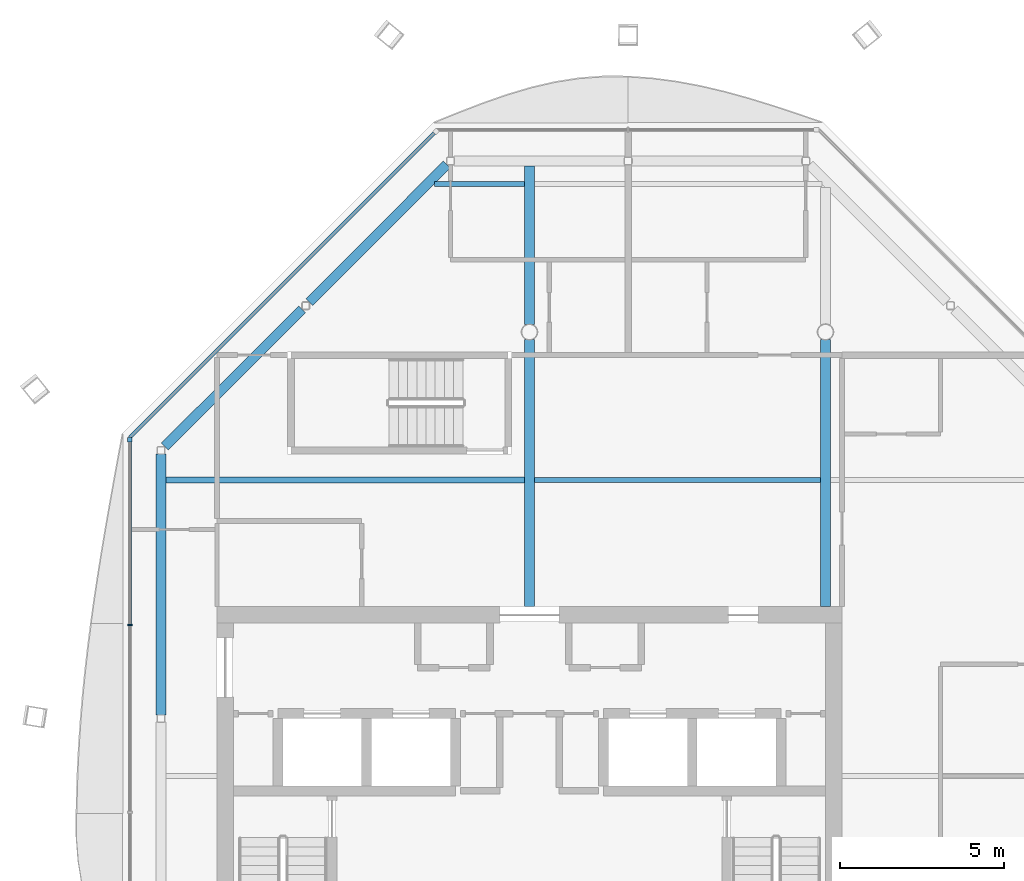
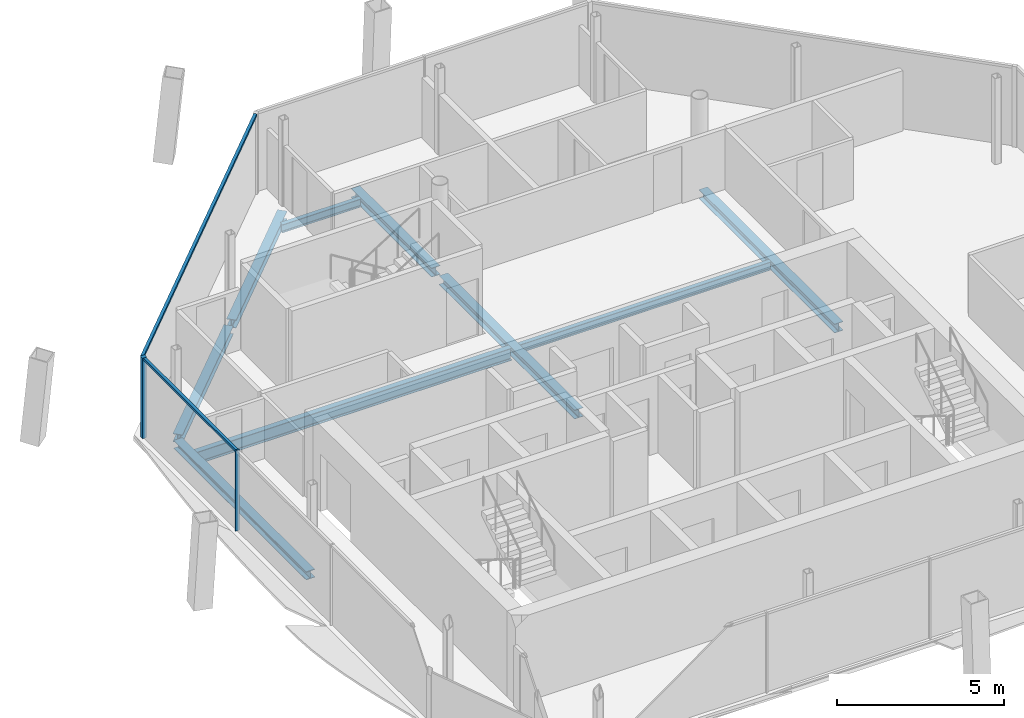
# One storey, part 5 of 13: 9 beams, 4 members, 2 elements without a shape of their own.
"""IFC4 building model written with IfcOpenShell, lengths in metres."""

import ifcopenshell
import ifcopenshell.guid

model = None  # the IFC model being written
_history = None  # IfcOwnerHistory: only IFC2X3 demands one
_inside = {}  # id of a spatial element -> (the spatial element, [elements in it])
_under = {}  # id of a project, library or spatial element -> (it, [spatial elements below it])
_declared = {}  # id of a project -> (the project, [libraries it declares])
_typed = {}  # id of a type object -> (the type object, [elements of that type])
_made_of = {}  # id of a material, layer set ... -> (it, [elements and type objects made of it])


def new_model(schema):
    """Start an empty IFC model of exactly this schema.

    Asked for "IFC4X3", IfcOpenShell would pick the latest addendum, in which some entities
    have other attributes; the version numbers below select the first issue.
    IFC2X3 requires an IfcOwnerHistory on every rooted entity: one is made here for all.
    """
    global model, _history
    if schema == "IFC4X3":
        model = ifcopenshell.file(schema_version=(4, 3, 0, 0))
    else:
        model = ifcopenshell.file(schema=schema)
    _inside.clear()
    _under.clear()
    _declared.clear()
    _typed.clear()
    _made_of.clear()
    _history = None
    if model.schema == "IFC2X3":
        org = make("IfcOrganization", Name="unknown")
        user = make(
            "IfcPersonAndOrganization",
            ThePerson=make("IfcPerson", FamilyName="unknown"),
            TheOrganization=org,
        )
        app = make(
            "IfcApplication",
            ApplicationDeveloper=org,
            Version="unknown",
            ApplicationFullName="unknown",
            ApplicationIdentifier="unknown",
        )
        _history = make(
            "IfcOwnerHistory",
            OwningUser=user,
            OwningApplication=app,
            ChangeAction="ADDED",
            CreationDate=0,
        )
    return model


def make(cls, **values):
    """One entity of the class cls with the attributes given. An attribute that is None is left unset."""
    return model.create_entity(
        cls, **{name: value for name, value in values.items() if value is not None}
    )


def rooted(cls, **values):
    """An entity with a GlobalId (a new one), such as an element, a storey or a relation."""
    return make(cls, GlobalId=ifcopenshell.guid.new(), OwnerHistory=_history, **values)


def si_unit(unit_type, name, prefix=None):
    """IfcSIUnit, for example si_unit("LENGTHUNIT", "METRE", prefix="MILLI")."""
    return make("IfcSIUnit", UnitType=unit_type, Prefix=prefix, Name=name)


def assignment(units):
    """IfcUnitAssignment: the units of a project."""
    return None if units is None else make("IfcUnitAssignment", Units=units)


def point(xyz):
    """IfcCartesianPoint."""
    return None if xyz is None else make("IfcCartesianPoint", Coordinates=xyz)


def direction(xyz):
    """IfcDirection."""
    return None if xyz is None else make("IfcDirection", DirectionRatios=xyz)


def frame(location, z_axis=None, x_axis=None):
    """IfcAxis2Placement3D, a coordinate frame: its origin and axes. An axis left out is left unset."""
    return make(
        "IfcAxis2Placement3D",
        Location=point(location),
        Axis=direction(z_axis),
        RefDirection=direction(x_axis),
    )


def frame_2d(location, x_axis=None):
    """IfcAxis2Placement2D, a coordinate frame in the plane: its origin and x axis."""
    return make(
        "IfcAxis2Placement2D", Location=point(location), RefDirection=direction(x_axis)
    )


def origin():
    """The frame at (0, 0, 0) with its axes left unset."""
    return frame((0.0, 0.0, 0.0))


def origin_2d():
    """The frame at (0, 0) in the plane with its x axis left unset."""
    return frame_2d((0.0, 0.0))


def place(relative_to, where):
    """IfcLocalPlacement: puts the frame where relative to a parent placement (None: the world)."""
    return make(
        "IfcLocalPlacement", PlacementRelTo=relative_to, RelativePlacement=where
    )


def context(
    kind, dimensions, precision=None, world=None, true_north=None, identifier=None
):
    """IfcGeometricRepresentationContext, for example the 3D "Model" context."""
    return make(
        "IfcGeometricRepresentationContext",
        ContextIdentifier=identifier,
        ContextType=kind,
        CoordinateSpaceDimension=dimensions,
        Precision=precision,
        WorldCoordinateSystem=world,
        TrueNorth=true_north,
    )


def subcontext(parent, identifier, kind, view, scale=None):
    """IfcGeometricRepresentationSubContext, for example "Body" below "Model"."""
    return make(
        "IfcGeometricRepresentationSubContext",
        ContextIdentifier=identifier,
        ContextType=kind,
        ParentContext=parent,
        TargetScale=scale,
        TargetView=view,
    )


def project(units=None, contexts=None):
    """IfcProject with its units and contexts."""
    return rooted(
        "IfcProject",
        Name="project",
        RepresentationContexts=contexts,
        UnitsInContext=assignment(units),
    )


def spatial(cls, under=None, at=None, **own):
    """A site, building, storey or space (cls), placed at a placement, below another one or the project."""
    s = rooted(cls, ObjectPlacement=at, **own)
    if under is not None:
        _under.setdefault(under.id(), (under, []))[1].append(s)
    return s


def profile(cls, at=None, kind="AREA", **sizes):
    """A parametric profile (cls). Its sizes go by their IFC names, for example OverallWidth=200.0."""
    return make(cls, ProfileType=kind, Position=at, **sizes)


def rectangle(**sizes):
    """IfcRectangleProfileDef."""
    return profile("IfcRectangleProfileDef", **sizes)


def i_section(**sizes):
    """IfcIShapeProfileDef."""
    return profile("IfcIShapeProfileDef", **sizes)


def extrude(swept, where, along, depth):
    """IfcExtrudedAreaSolid: the profile swept, set in the frame where, extruded along a direction by depth."""
    return make(
        "IfcExtrudedAreaSolid",
        SweptArea=swept,
        Position=where,
        ExtrudedDirection=direction(along),
        Depth=depth,
    )


def shape(context_of_items, identifier, shape_type, items):
    """IfcShapeRepresentation: the items that make up one representation, for example the "Body"."""
    return make(
        "IfcShapeRepresentation",
        ContextOfItems=context_of_items,
        RepresentationIdentifier=identifier,
        RepresentationType=shape_type,
        Items=items,
    )


def material(Name=None, Category=None):
    """IfcMaterial."""
    return make("IfcMaterial", Name=Name, Category=Category)


def material_profile(
    of_material, cross_section, Name=None, Category=None, Priority=None
):
    """IfcMaterialProfile: a cross section and its material."""
    return make(
        "IfcMaterialProfile",
        Name=Name,
        Material=of_material,
        Profile=cross_section,
        Priority=Priority,
        Category=Category,
    )


def profile_set(profiles, Name=None, composite=None):
    """IfcMaterialProfileSet."""
    return make(
        "IfcMaterialProfileSet",
        Name=Name,
        MaterialProfiles=profiles,
        CompositeProfile=composite,
    )


def made_of(thing, what):
    """Note that an element or type object is made of a material, layer set ...; save() writes the relation."""
    if what is not None:
        _made_of.setdefault(what.id(), (what, []))[1].append(thing)
    return thing


def type_object(cls, material=None, **own):
    """A type object (cls), such as IfcWallType, which elements share."""
    return made_of(rooted(cls, **own), material)


def element(
    cls,
    number,
    at=None,
    inside=None,
    cuts=None,
    type_object=None,
    material=None,
    context=None,
    identifier="Body",
    shape_type=None,
    held_by="IfcProductDefinitionShape",
    body=None,
    shapes=None,
    **own,
):
    """One element of the class cls, such as IfcWall. Its Tag is "e" and its number.

    at: its placement. inside: the storey or other place that contains it. cuts: it is an
    opening in that element (IfcRelVoidsElement). A single representation is given by context,
    identifier, shape_type and body (its items); several are given by shapes. held_by: the class
    of the entity that holds the representations. save() writes the other relations.
    """
    e = rooted(cls, Tag="e%d" % number, ObjectPlacement=at, **own)
    if body is not None:
        shapes = [shape(context, identifier, shape_type, body)]
    if shapes is not None:
        e.Representation = make(held_by, Representations=shapes)
    if inside is not None:
        _inside.setdefault(inside.id(), (inside, []))[1].append(e)
    if cuts is not None:
        rooted(
            "IfcRelVoidsElement", RelatingBuildingElement=cuts, RelatedOpeningElement=e
        )
    if type_object is not None:
        _typed.setdefault(type_object.id(), (type_object, []))[1].append(e)
    return made_of(e, material)


def aggregate(whole, parts):
    """IfcRelAggregates: a whole, such as a stair, and the parts it consists of."""
    return rooted("IfcRelAggregates", RelatingObject=whole, RelatedObjects=parts)


def save(model, path):
    """Write the relations noted so far, then the file.

    IfcRelAggregates (storeys below a building ...), IfcRelContainedInSpatialStructure (elements
    in a storey), IfcRelDefinesByType, IfcRelAssociatesMaterial and IfcRelDeclares: one each for
    every whole, place, type object, material and project.
    """
    for whole, parts in _under.values():
        aggregate(whole, parts)
    for where, things in _inside.values():
        rooted(
            "IfcRelContainedInSpatialStructure",
            RelatedElements=things,
            RelatingStructure=where,
        )
    for kind, things in _typed.values():
        rooted("IfcRelDefinesByType", RelatedObjects=things, RelatingType=kind)
    for what, things in _made_of.values():
        rooted("IfcRelAssociatesMaterial", RelatedObjects=things, RelatingMaterial=what)
    for by, libraries in _declared.values():
        rooted("IfcRelDeclares", RelatingContext=by, RelatedDefinitions=libraries)
    model.write(path)


model = new_model("IFC4")

# Units and contexts
model_context = context("Model", 3, precision=1e-05, world=origin(), true_north=direction((0.0, 1.0)))
body_context = subcontext(model_context, "Body", "Model", "MODEL_VIEW")
ifc_project = project(units=[si_unit("LENGTHUNIT", "METRE"), si_unit("AREAUNIT", "SQUARE_METRE"), si_unit("VOLUMEUNIT", "CUBIC_METRE"), si_unit("PLANEANGLEUNIT", "RADIAN"), si_unit("MASSUNIT", "GRAM", prefix="KILO")], contexts=[model_context])

# Site, building, storey
site_placement = place(None, origin())
site = spatial("IfcSite", under=ifc_project, at=site_placement, CompositionType="ELEMENT")
building_placement = place(site_placement, origin())
building = spatial("IfcBuilding", under=site, at=building_placement, Name="Tskaro Facet Tower", CompositionType="ELEMENT")
storey_placement = place(building_placement, frame((0.0, 0.0, 291.0)))
storey = spatial("IfcBuildingStorey", under=building, at=storey_placement, Name="L78", CompositionType="ELEMENT", Elevation=291.0)

# Curtain wall, members
ifc_material_1 = material(Name="Bronze anodised aluminium 6063-T6", Category="aluminium")
curtain_wall_type = type_object("IfcCurtainWallType", Name="Bronze residence curtain wall (FW3)", PredefinedType="NOTDEFINED", material=ifc_material_1)
curtain_wall_1_placement = place(storey_placement, origin())
curtain_wall_1 = element("IfcCurtainWall", 1, at=curtain_wall_1_placement, inside=storey, type_object=curtain_wall_type, Name="FW3 west facet L78", PredefinedType="NOTDEFINED")
ifc_material_profile_1 = material_profile(ifc_material_1, rectangle(XDim=0.139892578125, YDim=0.139892578125, at=origin_2d()), Name="Corner post 140x140")
ifc_profile_set_1 = profile_set([ifc_material_profile_1], Name="Bronze anodised aluminium 6063-T6")
member_type_1 = type_object("IfcMemberType", Name="FW3 bronze corner post 140x140", PredefinedType="MULLION", material=ifc_profile_set_1)
member_1_placement = place(storey_placement, frame((-12.14990234375, 5.72607421875, 0.0), z_axis=(0.0, 0.0, 1.0), x_axis=(0.0, -1.0, 0.0)))
member_1 = element("IfcMember", 2, at=member_1_placement, type_object=member_type_1, Name="FW3 west corner post", PredefinedType="MULLION", context=body_context, shape_type="SweptSolid", body=[
    extrude(rectangle(XDim=0.139892578125, YDim=0.139892578125, at=origin_2d()), origin(), (0.0, 0.0, 1.0), 2.949951171875),
])
ifc_material_profile_2 = material_profile(ifc_material_1, rectangle(XDim=0.050048828125, YDim=0.139892578125, at=origin_2d()), Name="Mullion 50x140")
ifc_profile_set_2 = profile_set([ifc_material_profile_2], Name="Bronze anodised aluminium 6063-T6")
member_type_2 = type_object("IfcMemberType", Name="FW3 bronze mullion 50x140", PredefinedType="MULLION", material=ifc_profile_set_2)
member_2_placement = place(storey_placement, frame((-12.14990234375, 0.0986328125, 0.0), z_axis=(0.0, 0.0, 1.0), x_axis=(0.0, -1.0, 0.0)))
member_2 = element("IfcMember", 3, at=member_2_placement, type_object=member_type_2, Name="FW3 west mullion 1", PredefinedType="MULLION", context=body_context, shape_type="SweptSolid", body=[
    extrude(rectangle(XDim=0.050048828125, YDim=0.139892578125, at=origin_2d()), origin(), (0.0, 0.0, 1.0), 2.949951171875),
])

# Curtain wall, member
curtain_wall_2_placement = place(storey_placement, origin())
curtain_wall_2 = element("IfcCurtainWall", 4, at=curtain_wall_2_placement, inside=storey, type_object=curtain_wall_type, Name="FW3 north-west facet L78", PredefinedType="NOTDEFINED")
ifc_material_profile_3 = material_profile(ifc_material_1, rectangle(XDim=0.10009765625, YDim=0.090087890625, at=origin_2d()), Name="Transom 100x90")
ifc_profile_set_3 = profile_set([ifc_material_profile_3], Name="Bronze anodised aluminium 6063-T6")
member_type_3 = type_object("IfcMemberType", Name="FW3 bronze transom 100x90", PredefinedType="USERDEFINED", material=ifc_profile_set_3)
member_3_placement = place(storey_placement, frame((-2.89501953125, 15.051025390625, 2.905029296875), z_axis=(-0.707097454631, -0.707116107619, 0.0), x_axis=(0.707116107619, -0.707097454631, 0.0)))
member_3 = element("IfcMember", 5, at=member_3_placement, type_object=member_type_3, Name="FW3 north-west transom 1.1", ObjectType="TRANSOM", PredefinedType="USERDEFINED", context=body_context, shape_type="SweptSolid", body=[
    extrude(rectangle(XDim=0.10009765625, YDim=0.090087890625, at=origin_2d()), origin(), (0.0, 0.0, 1.0), 13.088623046875),
])
aggregate(curtain_wall_2, [member_3])

# Member
member_4_placement = place(storey_placement, frame((-12.14990234375, 5.656005859375, 2.905029296875), z_axis=(0.0, -1.0, 0.0), x_axis=(1.0, 0.0, 0.0)))
member_4 = element("IfcMember", 6, at=member_4_placement, type_object=member_type_3, Name="FW3 west transom 1.1", ObjectType="TRANSOM", PredefinedType="USERDEFINED", context=body_context, shape_type="SweptSolid", body=[
    extrude(rectangle(XDim=0.10009765625, YDim=0.090087890625, at=origin_2d()), origin(), (0.0, 0.0, 1.0), 5.5322265625),
])

aggregate(curtain_wall_1, [member_1, member_2, member_4])

# Beams
ifc_material_2 = material(Name="Steel S355J2", Category="steel")
ifc_material_profile_4 = material_profile(ifc_material_2, i_section(OverallWidth=0.300048828125, OverallDepth=0.300048828125, WebThickness=0.010986328125, FlangeThickness=0.01904296875, FilletRadius=0.027099609375, at=origin_2d()), Name="HE 300 B")
ifc_profile_set_4 = profile_set([ifc_material_profile_4], Name="Steel S355J2")
beam_type_1 = type_object("IfcBeamType", Name="HE 300 B ring beam", PredefinedType="BEAM", material=ifc_profile_set_4)
for number, where, z_axis, x_axis, name in (
    (7, (-2.513916015625, 14.089111328125, -0.2900390625), (-0.707024112481, -0.707189440228, 0.0), (0.707189440228, -0.707024112481, 0.0), "HE 300 B EB11-6"),
    (8, (-6.911865234375, 9.690185546875, -0.2900390625), (-0.707189440228, -0.707024112481, 0.0), (0.707024112481, -0.707189440228, 0.0), "HE 300 B EB12-6"),
):
    element("IfcBeam", number, at=place(storey_placement, frame(where, z_axis=z_axis, x_axis=x_axis)), inside=storey, type_object=beam_type_1, Name=name, PredefinedType="BEAM", context=body_context, shape_type="SweptSolid", body=[
        extrude(i_section(OverallWidth=0.300048828125, OverallDepth=0.300048828125, WebThickness=0.010986328125, FlangeThickness=0.01904296875, FilletRadius=0.027099609375, at=origin_2d()), origin(), (0.0, 0.0, 1.0), 5.90673828125),
    ])
beam_1_placement = place(storey_placement, frame((-11.199951171875, 5.298095703125, -0.2900390625), z_axis=(0.0, -1.0, 0.0), x_axis=(1.0, 0.0, 0.0)))
element("IfcBeam", 9, at=beam_1_placement, inside=storey, type_object=beam_type_1, Name="HE 300 B EB13-6", PredefinedType="BEAM", context=body_context, shape_type="SweptSolid", body=[
    extrude(i_section(OverallWidth=0.300048828125, OverallDepth=0.300048828125, WebThickness=0.010986328125, FlangeThickness=0.01904296875, FilletRadius=0.027099609375, at=origin_2d()), origin(), (0.0, 0.0, 1.0), 7.943115234375),
])
ifc_material_profile_5 = material_profile(ifc_material_2, i_section(OverallWidth=0.300048828125, OverallDepth=0.330078125, WebThickness=0.009521484375, FlangeThickness=0.0166015625, FilletRadius=0.027099609375, at=origin_2d()), Name="HE 340 A")
ifc_profile_set_5 = profile_set([ifc_material_profile_5], Name="Steel S355J2")
beam_type_2 = type_object("IfcBeamType", Name="HE 340 A girder", PredefinedType="BEAM", material=ifc_profile_set_5)
beam_2_placement = place(storey_placement, frame((0.0, 0.64990234375, -0.304931640625), z_axis=(0.0, 1.0, 0.0), x_axis=(-1.0, 0.0, 0.0)))
element("IfcBeam", 10, at=beam_2_placement, inside=storey, type_object=beam_type_2, Name="HE 340 A GB4-2-6", PredefinedType="BEAM", context=body_context, shape_type="SweptSolid", body=[
    extrude(i_section(OverallWidth=0.300048828125, OverallDepth=0.330078125, WebThickness=0.009521484375, FlangeThickness=0.0166015625, FilletRadius=0.027099609375, at=origin_2d()), origin(), (0.0, 0.0, 1.0), 8.1259765625),
])
beam_3_placement = place(storey_placement, frame((0.0, 9.22412109375, -0.304931640625), z_axis=(0.0, 1.0, 0.0), x_axis=(-1.0, 0.0, 0.0)))
element("IfcBeam", 11, at=beam_3_placement, inside=storey, type_object=beam_type_2, Name="HE 340 A GB4-3-6", PredefinedType="BEAM", context=body_context, shape_type="SweptSolid", body=[
    extrude(i_section(OverallWidth=0.300048828125, OverallDepth=0.330078125, WebThickness=0.009521484375, FlangeThickness=0.0166015625, FilletRadius=0.027099609375, at=origin_2d()), origin(), (0.0, 0.0, 1.0), 4.825927734375),
])
beam_4_placement = place(storey_placement, frame((9.0, 0.64990234375, -0.304931640625), z_axis=(0.0, 1.0, 0.0), x_axis=(-1.0, 0.0, 0.0)))
element("IfcBeam", 12, at=beam_4_placement, inside=storey, type_object=beam_type_2, Name="HE 340 A GB5-2-6", PredefinedType="BEAM", context=body_context, shape_type="SweptSolid", body=[
    extrude(i_section(OverallWidth=0.300048828125, OverallDepth=0.330078125, WebThickness=0.009521484375, FlangeThickness=0.0166015625, FilletRadius=0.027099609375, at=origin_2d()), origin(), (0.0, 0.0, 1.0), 8.1259765625),
])
ifc_material_profile_6 = material_profile(ifc_material_2, i_section(OverallWidth=0.14990234375, OverallDepth=0.300048828125, WebThickness=0.007080078125, FlangeThickness=0.0107421875, FilletRadius=0.014892578125, at=origin_2d()), Name="IPE 300")
ifc_profile_set_6 = profile_set([ifc_material_profile_6], Name="Steel S355J2")
beam_type_3 = type_object("IfcBeamType", Name="IPE 300 secondary beam", PredefinedType="BEAM", material=ifc_profile_set_6)
beam_5_placement = place(storey_placement, frame((0.14990234375, 4.5, -0.2900390625), z_axis=(1.0, 0.0, 0.0), x_axis=(0.0, 1.0, 0.0)))
element("IfcBeam", 13, at=beam_5_placement, inside=storey, type_object=beam_type_3, Name="IPE 300 SB4a-2-6", PredefinedType="BEAM", context=body_context, shape_type="SweptSolid", body=[
    extrude(i_section(OverallWidth=0.14990234375, OverallDepth=0.300048828125, WebThickness=0.007080078125, FlangeThickness=0.0107421875, FilletRadius=0.014892578125, at=origin_2d()), origin(), (0.0, 0.0, 1.0), 8.7001953125),
])
beam_6_placement = place(storey_placement, frame((-2.89111328125, 13.5, -0.2900390625), z_axis=(1.0, 0.0, 0.0), x_axis=(0.0, 1.0, 0.0)))
element("IfcBeam", 14, at=beam_6_placement, inside=storey, type_object=beam_type_3, Name="IPE 300 SB5a-1-6", PredefinedType="BEAM", context=body_context, shape_type="SweptSolid", body=[
    extrude(i_section(OverallWidth=0.14990234375, OverallDepth=0.300048828125, WebThickness=0.007080078125, FlangeThickness=0.0107421875, FilletRadius=0.014892578125, at=origin_2d()), origin(), (0.0, 0.0, 1.0), 2.7412109375),
])
ifc_material_profile_7 = material_profile(ifc_material_2, i_section(OverallWidth=0.18994140625, OverallDepth=0.449951171875, WebThickness=0.009521484375, FlangeThickness=0.0146484375, FilletRadius=0.02099609375, at=origin_2d()), Name="IPE 450")
ifc_profile_set_7 = profile_set([ifc_material_profile_7], Name="Steel S355J2")
beam_type_4 = type_object("IfcBeamType", Name="IPE 450 long secondary beam", PredefinedType="BEAM", material=ifc_profile_set_7)
beam_7_placement = place(storey_placement, frame((-11.050048828125, 4.5, -0.364990234375), z_axis=(1.0, 0.0, 0.0), x_axis=(0.0, 1.0, 0.0)))
element("IfcBeam", 15, at=beam_7_placement, inside=storey, type_object=beam_type_4, Name="IPE 450 LSB4a-1-6", PredefinedType="BEAM", context=body_context, shape_type="SweptSolid", body=[
    extrude(i_section(OverallWidth=0.18994140625, OverallDepth=0.449951171875, WebThickness=0.009521484375, FlangeThickness=0.0146484375, FilletRadius=0.02099609375, at=origin_2d()), origin(), (0.0, 0.0, 1.0), 10.900146484375),
])

save(model, "model.ifc")
